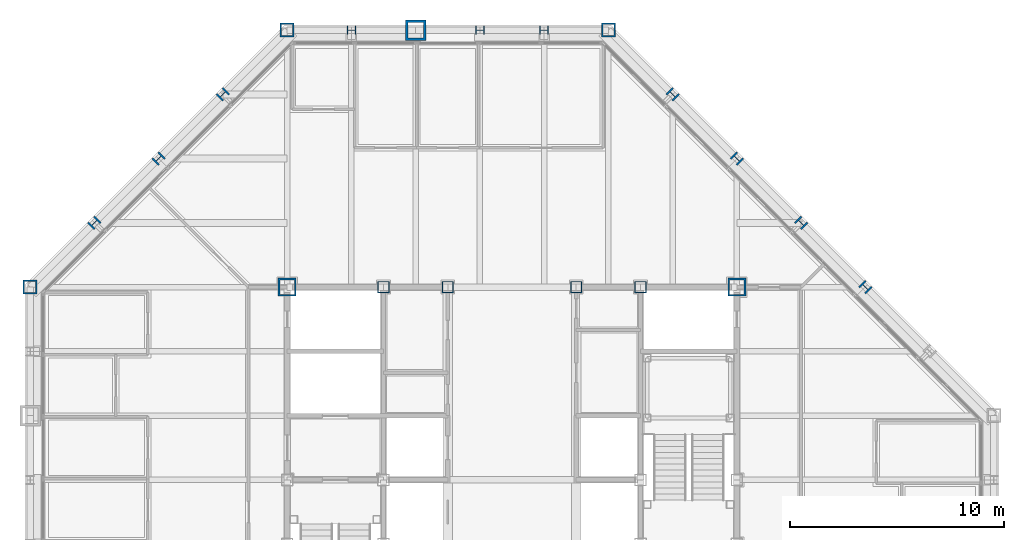
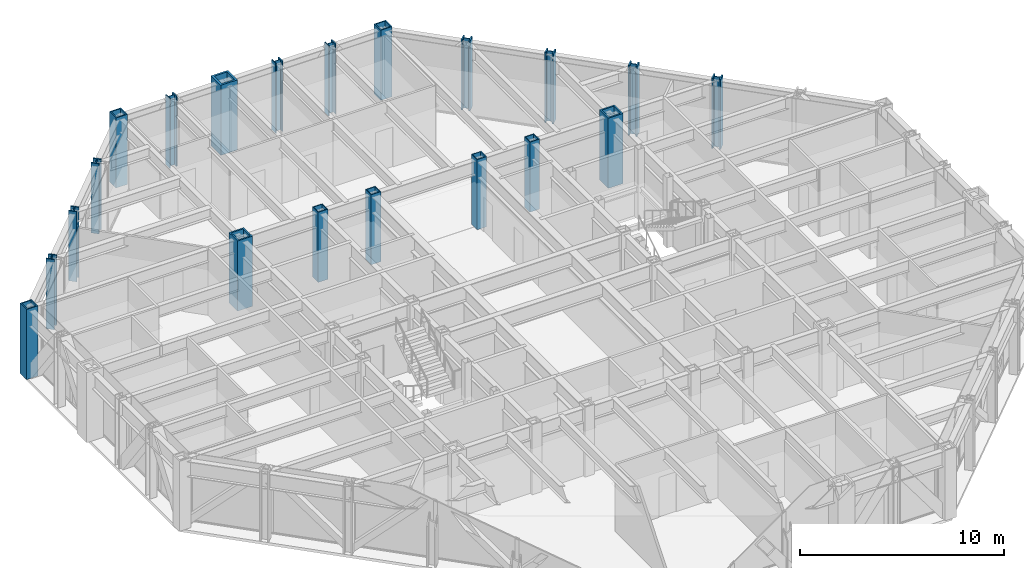
# One storey, part 4 of 16: 20 columns.
"""IFC4 building model written with IfcOpenShell, lengths in metres."""

from ifc_helpers import new_model, si_unit, direction, frame, origin, origin_2d, place, context, subcontext, project, spatial, hollow_rectangle, i_section, extrude, material, material_profile, profile_set, type_object, element, save


model = new_model("IFC4")

# Units and contexts
model_context = context("Model", 3, precision=1e-05, world=origin(), true_north=direction((0.0, 1.0)))
body_context = subcontext(model_context, "Body", "Model", "MODEL_VIEW")
ifc_project = project(units=[si_unit("LENGTHUNIT", "METRE"), si_unit("AREAUNIT", "SQUARE_METRE"), si_unit("VOLUMEUNIT", "CUBIC_METRE"), si_unit("PLANEANGLEUNIT", "RADIAN"), si_unit("MASSUNIT", "GRAM", prefix="KILO")], contexts=[model_context])

# Site, building, storey
site_placement = place(None, origin())
site = spatial("IfcSite", under=ifc_project, at=site_placement, CompositionType="ELEMENT")
building_placement = place(site_placement, origin())
building = spatial("IfcBuilding", under=site, at=building_placement, Name="Chuquiago Exchange Tower", CompositionType="ELEMENT")
storey_placement = place(building_placement, frame((0.0, 0.0, 222.300048828125)))
storey = spatial("IfcBuildingStorey", under=building, at=storey_placement, Name="L49", CompositionType="ELEMENT", Elevation=222.300048828125)

# Columns
ifc_material_1 = material(Name="Steel ASTM A992", Category="steel")
ifc_material_profile_1 = material_profile(ifc_material_1, i_section(OverallWidth=0.408935546875, OverallDepth=0.424072265625, WebThickness=0.03271484375, FlangeThickness=0.052490234375, at=origin_2d()), Name="W14X283")
ifc_profile_set_1 = profile_set([ifc_material_profile_1], Name="Steel ASTM A992")
column_type_1 = type_object("IfcColumnType", Name="C8 W14X283", PredefinedType="COLUMN", material=ifc_profile_set_1)
for number, where, z_axis, x_axis, name in (
    (1, (24.0, 45.0, 0.0), (0.0, 0.0, 1.0), (0.0, 1.0, 0.0), "COL-L49-24_45"),
    (2, (21.0, 45.0, 0.0), (0.0, 0.0, 1.0), (0.0, 1.0, 0.0), "COL-L49-21_45"),
    (3, (15.0, 45.0, 0.0), (0.0, 0.0, 1.0), (0.0, 1.0, 0.0), "COL-L49-15_45"),
):
    element("IfcColumn", number, at=place(storey_placement, frame(where, z_axis=z_axis, x_axis=x_axis)), inside=storey, type_object=column_type_1, Name=name, PredefinedType="COLUMN", context=body_context, shape_type="SweptSolid", body=[
        extrude(i_section(OverallWidth=0.408935546875, OverallDepth=0.424072265625, WebThickness=0.03271484375, FlangeThickness=0.052490234375, at=origin_2d()), origin(), (0.0, 0.0, 1.0), 4.199951171875),
    ])
ifc_material_2 = material(Name="Steel ASTM A572 Grade 50", Category="steel")
ifc_material_profile_2 = material_profile(ifc_material_2, hollow_rectangle(XDim=0.85009765625, YDim=0.85009765625, WallThickness=0.0849609375, at=origin_2d()), Name="BOX850X850X85")
ifc_profile_set_2 = profile_set([ifc_material_profile_2], Name="Steel ASTM A572 Grade 50")
column_type_2 = type_object("IfcColumnType", Name="CC6 BOX850X850X85", PredefinedType="COLUMN", material=ifc_profile_set_2)
for number, where, z_axis, x_axis, name in (
    (4, (12.0, 33.0, 0.0), (0.0, 0.0, 1.0), (1.0, 0.0, 0.0), "CCOL-L49-12_33"),
    (5, (33.0, 33.0, 0.0), (0.0, 0.0, 1.0), (1.0, 0.0, 0.0), "CCOL-L49-33_33"),
):
    element("IfcColumn", number, at=place(storey_placement, frame(where, z_axis=z_axis, x_axis=x_axis)), inside=storey, type_object=column_type_2, Name=name, PredefinedType="COLUMN", context=body_context, shape_type="SweptSolid", body=[
        extrude(hollow_rectangle(XDim=0.85009765625, YDim=0.85009765625, WallThickness=0.0849609375, at=origin_2d()), origin(), (0.0, 0.0, 1.0), 4.199951171875),
    ])
ifc_material_3 = material(Name="Steel ASTM A572 Grade 50", Category="steel")
ifc_material_profile_3 = material_profile(ifc_material_3, hollow_rectangle(XDim=0.550048828125, YDim=0.550048828125, WallThickness=0.044921875, at=origin_2d()), Name="BOX550X550X45")
ifc_profile_set_3 = profile_set([ifc_material_profile_3], Name="Steel ASTM A572 Grade 50")
column_type_3 = type_object("IfcColumnType", Name="CC8 BOX550X550X45", PredefinedType="COLUMN", material=ifc_profile_set_3)
for number, where, z_axis, x_axis, name in (
    (6, (16.5, 33.0, 0.0), (0.0, 0.0, 1.0), (1.0, 0.0, 0.0), "CCOL-L49-16.5_33"),
    (7, (19.5, 33.0, 0.0), (0.0, 0.0, 1.0), (1.0, 0.0, 0.0), "CCOL-L49-19.5_33"),
    (8, (25.5, 33.0, 0.0), (0.0, 0.0, 1.0), (1.0, 0.0, 0.0), "CCOL-L49-25.5_33"),
    (9, (28.5, 33.0, 0.0), (0.0, 0.0, 1.0), (1.0, 0.0, 0.0), "CCOL-L49-28.5_33"),
):
    element("IfcColumn", number, at=place(storey_placement, frame(where, z_axis=z_axis, x_axis=x_axis)), inside=storey, type_object=column_type_3, Name=name, PredefinedType="COLUMN", context=body_context, shape_type="SweptSolid", body=[
        extrude(hollow_rectangle(XDim=0.550048828125, YDim=0.550048828125, WallThickness=0.044921875, at=origin_2d()), origin(), (0.0, 0.0, 1.0), 4.199951171875),
    ])
ifc_material_4 = material(Name="Steel ASTM A992", Category="steel")
ifc_material_profile_4 = material_profile(ifc_material_4, i_section(OverallWidth=0.421630859375, OverallDepth=0.46484375, WebThickness=0.044921875, FlangeThickness=0.072509765625, at=origin_2d()), Name="W14X398")
ifc_profile_set_4 = profile_set([ifc_material_profile_4], Name="Steel ASTM A992")
column_type_4 = type_object("IfcColumnType", Name="CK7 W14X398", PredefinedType="COLUMN", material=ifc_profile_set_4)
for number, where, z_axis, x_axis, name in (
    (10, (39.0, 33.0, 0.0), (0.0, 0.0, 1.0), (0.707106781187, 0.707106781187, 0.0), "COL-L49-39_33"),
    (11, (36.0, 36.0, 0.0), (0.0, 0.0, 1.0), (0.707106781187, 0.707106781187, 0.0), "COL-L49-36_36"),
    (12, (33.0, 39.0, 0.0), (0.0, 0.0, 1.0), (0.707106781187, 0.707106781187, 0.0), "COL-L49-33_39"),
    (13, (30.0, 42.0, 0.0), (0.0, 0.0, 1.0), (0.707106781187, 0.707106781187, 0.0), "COL-L49-30_42"),
    (14, (9.0, 42.0, 0.0), (0.0, 0.0, 1.0), (-0.707106781187, 0.707106781187, 0.0), "COL-L49-9_42"),
    (15, (6.0, 39.0, 0.0), (0.0, 0.0, 1.0), (-0.707106781187, 0.707106781187, 0.0), "COL-L49-6_39"),
    (16, (3.0, 36.0, 0.0), (0.0, 0.0, 1.0), (-0.707106781187, 0.707106781187, 0.0), "COL-L49-3_36"),
):
    element("IfcColumn", number, at=place(storey_placement, frame(where, z_axis=z_axis, x_axis=x_axis)), inside=storey, type_object=column_type_4, Name=name, PredefinedType="COLUMN", context=body_context, shape_type="SweptSolid", body=[
        extrude(i_section(OverallWidth=0.421630859375, OverallDepth=0.46484375, WebThickness=0.044921875, FlangeThickness=0.072509765625, at=origin_2d()), origin(), (0.0, 0.0, 1.0), 4.199951171875),
    ])
ifc_material_5 = material(Name="Steel ASTM A572 Grade 50", Category="steel")
ifc_material_profile_5 = material_profile(ifc_material_5, hollow_rectangle(XDim=0.64990234375, YDim=0.64990234375, WallThickness=0.06494140625, at=origin_2d()), Name="BOX650X650X65")
ifc_profile_set_5 = profile_set([ifc_material_profile_5], Name="Steel ASTM A572 Grade 50")
column_type_5 = type_object("IfcColumnType", Name="CN2 BOX650X650X65", PredefinedType="COLUMN", material=ifc_profile_set_5)
for number, where, z_axis, x_axis, name in (
    (17, (27.0, 45.0, 0.0), (0.0, 0.0, 1.0), (0.0, 1.0, 0.0), "COL-L49-27_45"),
    (18, (12.0, 45.0, 0.0), (0.0, 0.0, 1.0), (0.0, 1.0, 0.0), "COL-L49-12_45"),
    (19, (0.0, 33.0, 0.0), (0.0, 0.0, 1.0), (-1.0, 0.0, 0.0), "COL-L49-0_33"),
):
    element("IfcColumn", number, at=place(storey_placement, frame(where, z_axis=z_axis, x_axis=x_axis)), inside=storey, type_object=column_type_5, Name=name, PredefinedType="COLUMN", context=body_context, shape_type="SweptSolid", body=[
        extrude(hollow_rectangle(XDim=0.64990234375, YDim=0.64990234375, WallThickness=0.06494140625, at=origin_2d()), origin(), (0.0, 0.0, 1.0), 4.199951171875),
    ])
ifc_material_6 = material(Name="Steel ASTM A572 Grade 42", Category="steel")
ifc_material_profile_6 = material_profile(ifc_material_6, hollow_rectangle(XDim=0.949951171875, YDim=0.949951171875, WallThickness=0.110107421875, at=origin_2d()), Name="BOX950X950X110")
ifc_profile_set_6 = profile_set([ifc_material_profile_6], Name="Steel ASTM A572 Grade 42")
column_type_6 = type_object("IfcColumnType", Name="CT1 BOX950X950X110", PredefinedType="COLUMN", material=ifc_profile_set_6)
column_placement = place(storey_placement, frame((18.0, 45.0, 0.0), z_axis=(0.0, 0.0, 1.0), x_axis=(0.0, 1.0, 0.0)))
element("IfcColumn", 20, at=column_placement, inside=storey, type_object=column_type_6, Name="COL-L49-18_45", PredefinedType="COLUMN", context=body_context, shape_type="SweptSolid", body=[
    extrude(hollow_rectangle(XDim=0.949951171875, YDim=0.949951171875, WallThickness=0.110107421875, at=origin_2d()), origin(), (0.0, 0.0, 1.0), 4.199951171875),
])

save(model, "model.ifc")
